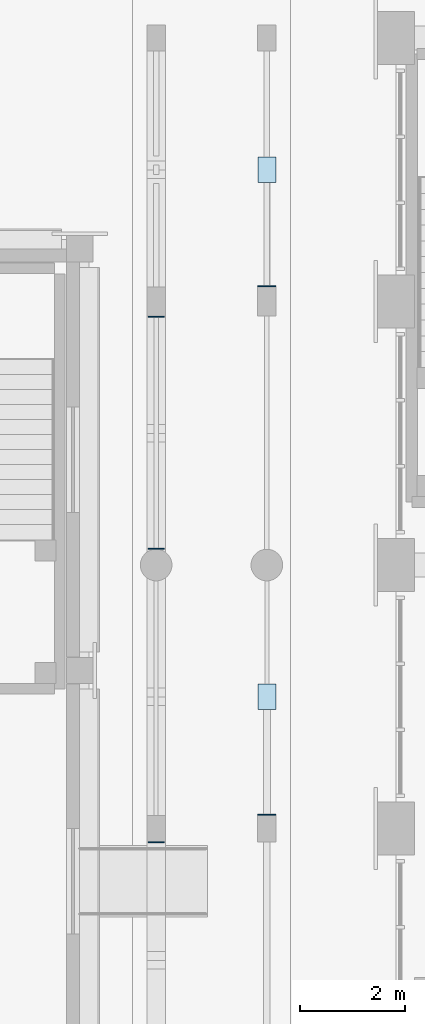
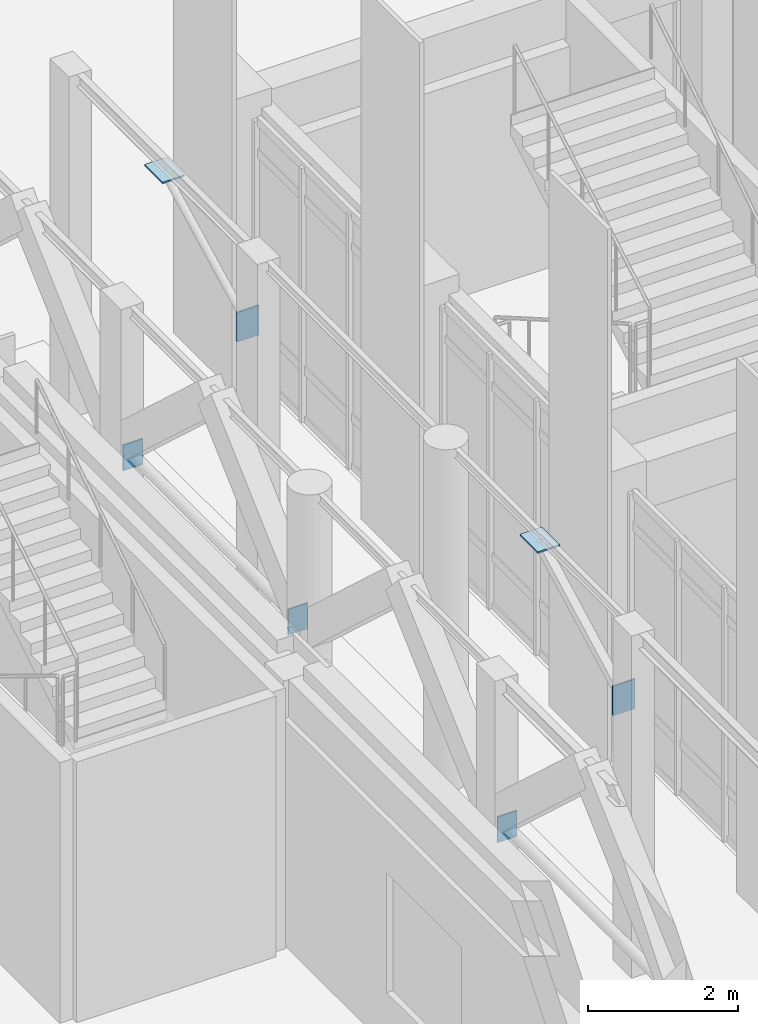
# One storey, part 85 of 135: 7 plates.
"""IFC4 building model written with IfcOpenShell, lengths in metres."""

from ifc_helpers import new_model, si_unit, direction, frame, origin, origin_2d, place, context, subcontext, project, spatial, rectangle, extrude, material, layer, layer_set, type_object, element, save


model = new_model("IFC4")

# Units and contexts
model_context = context("Model", 3, precision=1e-05, world=origin(), true_north=direction((0.0, 1.0)))
body_context = subcontext(model_context, "Body", "Model", "MODEL_VIEW")
ifc_project = project(units=[si_unit("LENGTHUNIT", "METRE"), si_unit("AREAUNIT", "SQUARE_METRE"), si_unit("VOLUMEUNIT", "CUBIC_METRE"), si_unit("PLANEANGLEUNIT", "RADIAN"), si_unit("MASSUNIT", "GRAM", prefix="KILO")], contexts=[model_context])

# Site, building, storey
site_placement = place(None, origin())
site = spatial("IfcSite", under=ifc_project, at=site_placement, CompositionType="ELEMENT")
building_placement = place(site_placement, origin())
building = spatial("IfcBuilding", under=site, at=building_placement, Name="Kiranvali Square Residences", CompositionType="ELEMENT")
storey_placement = place(building_placement, origin())
storey = spatial("IfcBuildingStorey", under=building, at=storey_placement, Name="L00", CompositionType="ELEMENT", Elevation=0.0)

# Plates
ifc_material = material(Name="Structural steel E350", Category="steel")
ifc_layer_1 = layer(ifc_material, 0.02001953125)
ifc_layer_set_1 = layer_set([ifc_layer_1], Name="Structural steel E350")
plate_type_1 = type_object("IfcPlateType", Name="PLT-ENDCAP-20", PredefinedType="SHEET", material=ifc_layer_set_1)
for number, where, z_axis, x_axis, name in (
    (1, (67.449951171875, 68.739013671875, 2.93994140625), (0.0, 0.0, 1.0), (1.0, 0.0, 0.0), "Colonnade tie-rod end plate ARC-GDN-W-5B"),
    (2, (67.449951171875, 74.31103515625, 2.93994140625), (0.0, 0.0, 1.0), (1.0, 0.0, 0.0), "Colonnade tie-rod end plate ARC-GDN-W-7A"),
    (3, (67.449951171875, 78.714111328125, 2.93994140625), (0.0, 0.0, 1.0), (1.0, 0.0, 0.0), "Colonnade tie-rod end plate ARC-GDN-W-7B"),
):
    element("IfcPlate", number, at=place(storey_placement, frame(where, z_axis=z_axis, x_axis=x_axis)), inside=storey, type_object=plate_type_1, Name=name, PredefinedType="SHEET", context=body_context, shape_type="SweptSolid", body=[
        extrude(rectangle(XDim=0.300048828125, YDim=0.02001953125, at=origin_2d()), origin(), (0.0, 0.0, 1.0), 0.419921875),
    ])
ifc_layer_2 = layer(ifc_material, 0.02490234375)
ifc_layer_set_2 = layer_set([ifc_layer_2], Name="Structural steel E350")
plate_type_2 = type_object("IfcPlateType", Name="PLT-GUSSET-25", PredefinedType="USERDEFINED", material=ifc_layer_set_2)
plate_1_placement = place(storey_placement, frame((69.550048828125, 69.263916015625, 3.9599609375), z_axis=(0.0, 0.0, 1.0), x_axis=(1.0, 0.0, 0.0)))
element("IfcPlate", 4, at=plate_1_placement, inside=storey, type_object=plate_type_2, Name="Colonnade knee-brace lower gusset ARC-GDN-W-6A", ObjectType="GUSSET PLATE", PredefinedType="USERDEFINED", context=body_context, shape_type="SweptSolid", body=[
    extrude(rectangle(XDim=0.340087890625, YDim=0.02490234375, at=origin_2d()), origin(), (0.0, 0.0, 1.0), 0.47998046875),
])
plate_2_placement = place(storey_placement, frame((69.550048828125, 71.5, 5.383544921875), z_axis=(0.0, 0.0, 1.0), x_axis=(1.0, 0.0, 0.0)))
element("IfcPlate", 5, at=plate_2_placement, inside=storey, type_object=plate_type_2, Name="Colonnade knee-brace upper gusset ARC-GDN-W-6B", ObjectType="GUSSET PLATE", PredefinedType="USERDEFINED", context=body_context, shape_type="SweptSolid", body=[
    extrude(rectangle(XDim=0.340087890625, YDim=0.47998046875, at=origin_2d()), origin(), (0.0, 0.0, 1.0), 0.02490234375),
])
plate_3_placement = place(storey_placement, frame((69.550048828125, 79.2890625, 3.9599609375), z_axis=(0.0, 0.0, 1.0), x_axis=(1.0, 0.0, 0.0)))
element("IfcPlate", 6, at=plate_3_placement, inside=storey, type_object=plate_type_2, Name="Colonnade knee-brace lower gusset ARC-GDN-W-8A", ObjectType="GUSSET PLATE", PredefinedType="USERDEFINED", context=body_context, shape_type="SweptSolid", body=[
    extrude(rectangle(XDim=0.340087890625, YDim=0.02490234375, at=origin_2d()), origin(), (0.0, 0.0, 1.0), 0.47998046875),
])
plate_4_placement = place(storey_placement, frame((69.550048828125, 81.5, 5.33349609375), z_axis=(0.0, 0.0, 1.0), x_axis=(1.0, 0.0, 0.0)))
element("IfcPlate", 7, at=plate_4_placement, inside=storey, type_object=plate_type_2, Name="Colonnade knee-brace upper gusset ARC-GDN-W-8B", ObjectType="GUSSET PLATE", PredefinedType="USERDEFINED", context=body_context, shape_type="SweptSolid", body=[
    extrude(rectangle(XDim=0.340087890625, YDim=0.47998046875, at=origin_2d()), origin(), (0.0, 0.0, 1.0), 0.02490234375),
])

save(model, "model.ifc")
